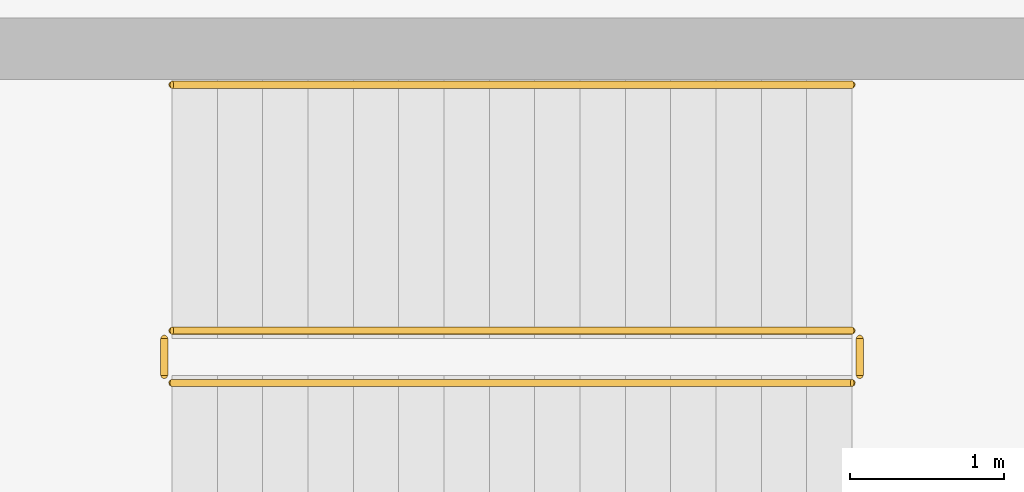
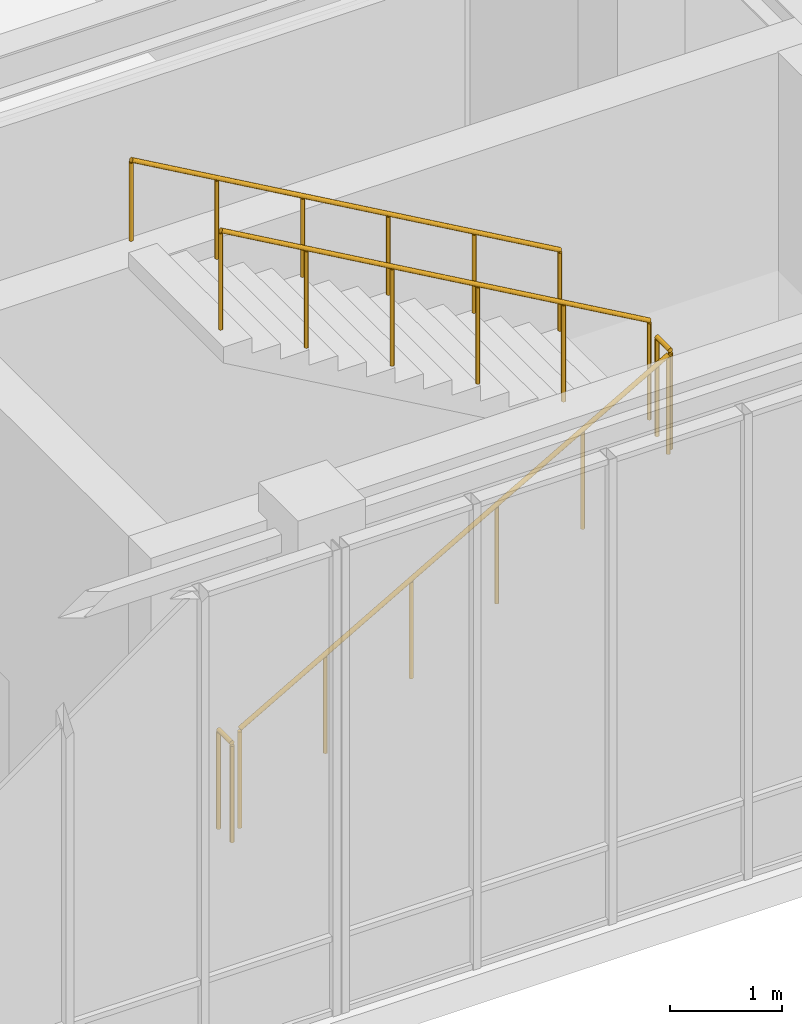
# One storey, part 120 of 122: 5 railings.
"""IFC4 building model written with IfcOpenShell, lengths in metres."""

from ifc_helpers import new_model, si_unit, direction, frame, origin, origin_2d, place, context, subcontext, project, spatial, circle, extrude, material, type_object, element, save


model = new_model("IFC4")

# Units and contexts
model_context = context("Model", 3, precision=1e-05, world=origin(), true_north=direction((0.0, 1.0)))
body_context = subcontext(model_context, "Body", "Model", "MODEL_VIEW")
ifc_project = project(units=[si_unit("LENGTHUNIT", "METRE"), si_unit("AREAUNIT", "SQUARE_METRE"), si_unit("VOLUMEUNIT", "CUBIC_METRE"), si_unit("PLANEANGLEUNIT", "RADIAN"), si_unit("MASSUNIT", "GRAM", prefix="KILO")], contexts=[model_context])

# Site, building, storey
site_placement = place(None, origin())
site = spatial("IfcSite", under=ifc_project, at=site_placement, CompositionType="ELEMENT")
building_placement = place(site_placement, origin())
building = spatial("IfcBuilding", under=site, at=building_placement, Name="Zayran Congress Hotel", CompositionType="ELEMENT")
storey_placement = place(building_placement, origin())
storey = spatial("IfcBuildingStorey", under=building, at=storey_placement, Name="L00", CompositionType="ELEMENT", Elevation=0.0)

# Railings
ifc_material_1 = material(Name="Painted steel balustrade", Category="steel")
railing_type_1 = type_object("IfcRailingType", Name="TP-GRD-INT", PredefinedType="GUARDRAIL", material=ifc_material_1)
railing_1_placement = place(storey_placement, frame((176.949951171875, 87.25, 0.168701171875)))
element("IfcRailing", 1, at=railing_1_placement, inside=storey, type_object=railing_type_1, Name="L00 ST-10 stair guard 1", PredefinedType="GUARDRAIL", context=body_context, shape_type="SweptSolid", body=[
    extrude(circle(Radius=0.02392578125, at=origin_2d()), frame((0.0, 0.0, 1.076171875), z_axis=(0.868019072493, 0.0, 0.49653085482), x_axis=(0.0, 1.0, 0.0)), (0.0, 0.0, 1.0), 5.097900390625),
    extrude(circle(Radius=0.02099609375, at=origin_2d()), origin(), (0.0, 0.0, 1.0), 1.052001953125),
    extrude(circle(Radius=0.02099609375, at=origin_2d()), frame((0.885009765625, 0.0, 0.50634765625)), (0.0, 0.0, 1.0), 1.052001953125),
    extrude(circle(Radius=0.02099609375, at=origin_2d()), frame((1.77001953125, 0.0, 1.012451171875)), (0.0, 0.0, 1.0), 1.052001953125),
    extrude(circle(Radius=0.02099609375, at=origin_2d()), frame((2.655029296875, 0.0, 1.518798828125)), (0.0, 0.0, 1.0), 1.052001953125),
    extrude(circle(Radius=0.02099609375, at=origin_2d()), frame((3.5400390625, 0.0, 2.02490234375)), (0.0, 0.0, 1.0), 1.052001953125),
    extrude(circle(Radius=0.02099609375, at=origin_2d()), frame((4.425048828125, 0.0, 2.53125)), (0.0, 0.0, 1.0), 1.052001953125),
])
railing_2_placement = place(storey_placement, frame((181.425048828125, 87.300048828125, 2.699951171875)))
element("IfcRailing", 2, at=railing_2_placement, inside=storey, type_object=railing_type_1, Name="L00 ST-10 stair guard 2", PredefinedType="GUARDRAIL", context=body_context, shape_type="SweptSolid", body=[
    extrude(circle(Radius=0.02392578125, at=origin_2d()), frame((0.0, 0.0, 1.076171875), z_axis=(0.0, 1.0, 0.0), x_axis=(-1.0, 0.0, 0.0)), (0.0, 0.0, 1.0), 0.239990234375),
    extrude(circle(Radius=0.02099609375, at=origin_2d()), origin(), (0.0, 0.0, 1.0), 1.052001953125),
    extrude(circle(Radius=0.02099609375, at=origin_2d()), frame((0.0, 0.239990234375, 0.0)), (0.0, 0.0, 1.0), 1.052001953125),
])
railing_3_placement = place(storey_placement, frame((181.375, 87.590087890625, 2.86865234375)))
element("IfcRailing", 3, at=railing_3_placement, inside=storey, type_object=railing_type_1, Name="L00 ST-10 stair guard 3", PredefinedType="GUARDRAIL", context=body_context, shape_type="SweptSolid", body=[
    extrude(circle(Radius=0.02392578125, at=origin_2d()), frame((0.0, 0.0, 1.076171875), z_axis=(-0.868019072493, 0.0, 0.49653085482), x_axis=(0.0, -1.0, 0.0)), (0.0, 0.0, 1.0), 5.097900390625),
    extrude(circle(Radius=0.02099609375, at=origin_2d()), origin(), (0.0, 0.0, 1.0), 1.052001953125),
    extrude(circle(Radius=0.02099609375, at=origin_2d()), frame((-0.885009765625, 0.0, 0.50634765625)), (0.0, 0.0, 1.0), 1.052001953125),
    extrude(circle(Radius=0.02099609375, at=origin_2d()), frame((-1.77001953125, 0.0, 1.012451171875)), (0.0, 0.0, 1.0), 1.052001953125),
    extrude(circle(Radius=0.02099609375, at=origin_2d()), frame((-2.655029296875, 0.0, 1.518798828125)), (0.0, 0.0, 1.0), 1.052001953125),
    extrude(circle(Radius=0.02099609375, at=origin_2d()), frame((-3.5400390625, 0.0, 2.02490234375)), (0.0, 0.0, 1.0), 1.052001953125),
    extrude(circle(Radius=0.02099609375, at=origin_2d()), frame((-4.425048828125, 0.0, 2.53125)), (0.0, 0.0, 1.0), 1.052001953125),
])
railing_4_placement = place(storey_placement, frame((176.89990234375, 87.300048828125, 0.0)))
element("IfcRailing", 4, at=railing_4_placement, inside=storey, type_object=railing_type_1, Name="L00 ST-10 stair guard 4", PredefinedType="GUARDRAIL", context=body_context, shape_type="SweptSolid", body=[
    extrude(circle(Radius=0.02392578125, at=origin_2d()), frame((0.0, 0.0, 1.076171875), z_axis=(0.0, 1.0, 0.0), x_axis=(-1.0, 0.0, 0.0)), (0.0, 0.0, 1.0), 0.239990234375),
    extrude(circle(Radius=0.02099609375, at=origin_2d()), origin(), (0.0, 0.0, 1.0), 1.052001953125),
    extrude(circle(Radius=0.02099609375, at=origin_2d()), frame((0.0, 0.239990234375, 0.0)), (0.0, 0.0, 1.0), 1.052001953125),
])
ifc_material_2 = material(Name="Brushed stainless steel handrail", Category="steel")
railing_type_2 = type_object("IfcRailingType", Name="TP-HND-STR", PredefinedType="HANDRAIL", material=ifc_material_2)
railing_5_placement = place(storey_placement, frame((181.375, 89.18994140625, 2.86865234375)))
element("IfcRailing", 5, at=railing_5_placement, inside=storey, type_object=railing_type_2, Name="L00 ST-10 stair handrail 2", PredefinedType="HANDRAIL", context=body_context, shape_type="SweptSolid", body=[
    extrude(circle(Radius=0.02392578125, at=origin_2d()), frame((0.0, 0.0, 0.8759765625), z_axis=(-0.868019072493, 0.0, 0.49653085482), x_axis=(0.0, -1.0, 0.0)), (0.0, 0.0, 1.0), 5.097900390625),
    extrude(circle(Radius=0.02099609375, at=origin_2d()), origin(), (0.0, 0.0, 1.0), 0.851806640625),
    extrude(circle(Radius=0.02099609375, at=origin_2d()), frame((-0.885009765625, 0.0, 0.50634765625)), (0.0, 0.0, 1.0), 0.851806640625),
    extrude(circle(Radius=0.02099609375, at=origin_2d()), frame((-1.77001953125, 0.0, 1.012451171875)), (0.0, 0.0, 1.0), 0.851806640625),
    extrude(circle(Radius=0.02099609375, at=origin_2d()), frame((-2.655029296875, 0.0, 1.518798828125)), (0.0, 0.0, 1.0), 0.851806640625),
    extrude(circle(Radius=0.02099609375, at=origin_2d()), frame((-3.5400390625, 0.0, 2.02490234375)), (0.0, 0.0, 1.0), 0.851806640625),
    extrude(circle(Radius=0.02099609375, at=origin_2d()), frame((-4.425048828125, 0.0, 2.53125)), (0.0, 0.0, 1.0), 0.851806640625),
])

save(model, "model.ifc")
